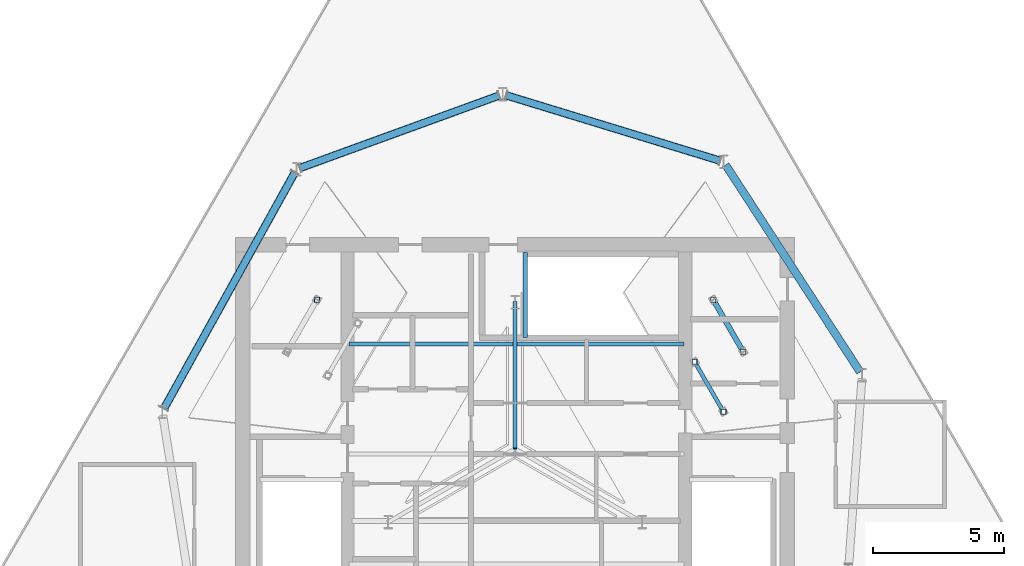
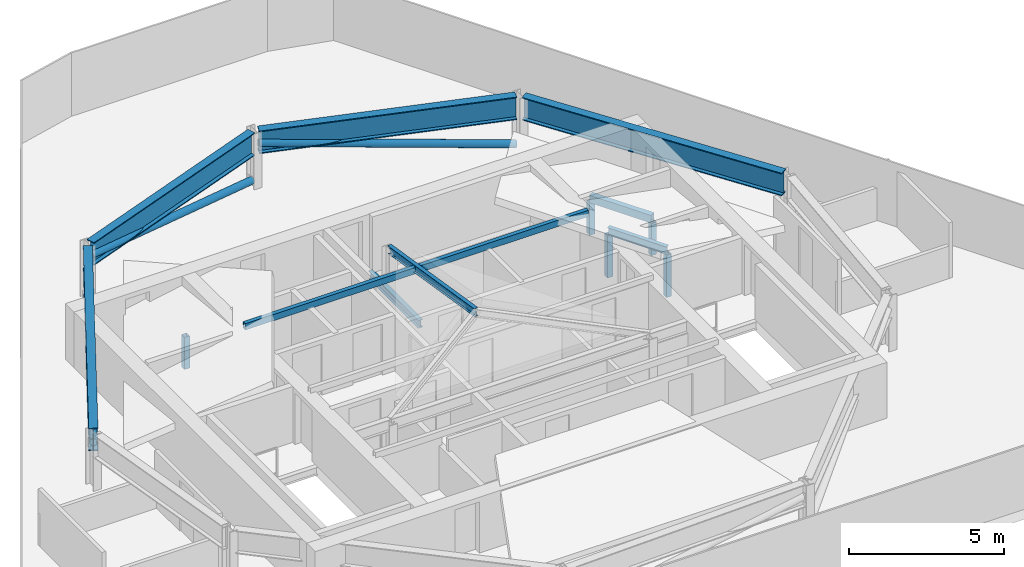
# One storey, part 3 of 9: 12 members, 5 beams.
"""IFC4 building model written with IfcOpenShell, lengths in metres."""

from ifc_helpers import new_model, si_unit, direction, frame, origin, origin_2d, place, context, subcontext, project, spatial, hollow_rectangle, hollow_circle, i_section, extrude, material, material_profile, profile_set, type_object, element, save


model = new_model("IFC4")

# Units and contexts
model_context = context("Model", 3, precision=1e-05, world=origin(), true_north=direction((0.0, 1.0)))
body_context = subcontext(model_context, "Body", "Model", "MODEL_VIEW")
ifc_project = project(units=[si_unit("LENGTHUNIT", "METRE"), si_unit("AREAUNIT", "SQUARE_METRE"), si_unit("VOLUMEUNIT", "CUBIC_METRE"), si_unit("PLANEANGLEUNIT", "RADIAN"), si_unit("MASSUNIT", "GRAM", prefix="KILO")], contexts=[model_context])

# Site, building, storey
site_placement = place(None, origin())
site = spatial("IfcSite", under=ifc_project, at=site_placement, CompositionType="ELEMENT")
building_placement = place(site_placement, origin())
building = spatial("IfcBuilding", under=site, at=building_placement, Name="Qarnah Convention Tower", CompositionType="ELEMENT")
storey_placement = place(building_placement, frame((0.0, 0.0, 292.89990234375)))
storey = spatial("IfcBuildingStorey", under=building, at=storey_placement, Name="L79", CompositionType="ELEMENT", Elevation=292.89990234375)

# Beams
ifc_material = material(Name="Structural steel S355JR", Category="steel")
ifc_material_profile_1 = material_profile(ifc_material, i_section(OverallWidth=0.166015625, OverallDepth=0.31201171875, WebThickness=0.007080078125, FlangeThickness=0.010986328125, at=origin_2d()), Name="W310X45")
ifc_profile_set_1 = profile_set([ifc_material_profile_1], Name="Structural steel S355JR")
beam_type_1 = type_object("IfcBeamType", Name="BM-JST-W310", PredefinedType="JOIST", material=ifc_profile_set_1)
beam_1_placement = place(storey_placement, frame((37.5830078125, 30.659912109375, -0.156005859375), z_axis=(0.0, 1.0, 0.0), x_axis=(-1.0, 0.0, 0.0)))
element("IfcBeam", 1, at=beam_1_placement, inside=storey, type_object=beam_type_1, Name="L79 stair landing trimmer beam BM-L79-ST3-TRM", PredefinedType="BEAM", context=body_context, shape_type="SweptSolid", body=[
    extrude(i_section(OverallWidth=0.166015625, OverallDepth=0.31201171875, WebThickness=0.007080078125, FlangeThickness=0.010986328125, at=origin_2d()), origin(), (0.0, 0.0, 1.0), 3.239990234375),
])
ifc_material_profile_2 = material_profile(ifc_material, i_section(OverallWidth=0.300048828125, OverallDepth=0.89990234375, WebThickness=0.01904296875, FlangeThickness=0.034912109375, at=origin_2d()), Name="HEB900")
ifc_profile_set_2 = profile_set([ifc_material_profile_2], Name="Structural steel S355JR")
beam_type_2 = type_object("IfcBeamType", Name="BM-RING-HEB900", PredefinedType="BEAM", material=ifc_profile_set_2)
beam_2_placement = place(storey_placement, frame((50.3779296875, 29.333984375, 1.75), z_axis=(-0.544668094576, 0.83865169573, 0.0), x_axis=(-0.83865169573, -0.544668094576, 0.0)))
element("IfcBeam", 2, at=beam_2_placement, inside=storey, type_object=beam_type_2, Name="L79 CROWN FRAME top ring cap beam 01", PredefinedType="BEAM", context=body_context, shape_type="SweptSolid", body=[
    extrude(i_section(OverallWidth=0.300048828125, OverallDepth=0.89990234375, WebThickness=0.01904296875, FlangeThickness=0.034912109375, at=origin_2d()), origin(), (0.0, 0.0, 1.0), 9.43310546875),
])
beam_3_placement = place(storey_placement, frame((45.030029296875, 37.403076171875, 1.75), z_axis=(-0.956294755563, 0.292404412557, 0.0), x_axis=(-0.292404412557, -0.956294755563, 0.0)))
element("IfcBeam", 3, at=beam_3_placement, inside=storey, type_object=beam_type_2, Name="L79 CROWN FRAME top ring cap beam 02", PredefinedType="BEAM", context=body_context, shape_type="SweptSolid", body=[
    extrude(i_section(OverallWidth=0.300048828125, OverallDepth=0.89990234375, WebThickness=0.01904296875, FlangeThickness=0.034912109375, at=origin_2d()), origin(), (0.0, 0.0, 1.0), 8.542236328125),
])
beam_4_placement = place(storey_placement, frame((36.594970703125, 39.89404296875, 1.75), z_axis=(-0.939689448399, -0.34202885926, 0.0), x_axis=(0.34202885926, -0.939689448399, 0.0)))
element("IfcBeam", 4, at=beam_4_placement, inside=storey, type_object=beam_type_2, Name="L79 CROWN FRAME top ring cap beam 03", PredefinedType="BEAM", context=body_context, shape_type="SweptSolid", body=[
    extrude(i_section(OverallWidth=0.300048828125, OverallDepth=0.89990234375, WebThickness=0.01904296875, FlangeThickness=0.034912109375, at=origin_2d()), origin(), (0.0, 0.0, 1.0), 8.093017578125),
])
beam_5_placement = place(storey_placement, frame((28.7900390625, 36.9560546875, 1.75), z_axis=(-0.484754052056, -0.874650506783, 0.0), x_axis=(0.874650506783, -0.484754052056, 0.0)))
element("IfcBeam", 5, at=beam_5_placement, inside=storey, type_object=beam_type_2, Name="L79 CROWN FRAME top ring cap beam 04", PredefinedType="BEAM", context=body_context, shape_type="SweptSolid", body=[
    extrude(i_section(OverallWidth=0.300048828125, OverallDepth=0.89990234375, WebThickness=0.01904296875, FlangeThickness=0.034912109375, at=origin_2d()), origin(), (0.0, 0.0, 1.0), 10.310546875),
])

# Members
ifc_material_profile_3 = material_profile(ifc_material, hollow_circle(Radius=0.136474609375, WallThickness=0.010009765625, at=origin_2d()), Name="CHS273X10")
ifc_profile_set_3 = profile_set([ifc_material_profile_3], Name="Structural steel S355JR")
member_type_1 = type_object("IfcMemberType", Name="MBR-BRC-CHS273", PredefinedType="BRACE", material=ifc_profile_set_3)
member_1_placement = place(storey_placement, frame((45.030029296875, 37.403076171875, 0.25), z_axis=(-0.943702152431, 0.288553996459, 0.161749307956), x_axis=(-0.292404412557, -0.956294755563, 0.0)))
element("IfcMember", 6, at=member_1_placement, inside=storey, type_object=member_type_1, Name="L79 CROWN FRAME ring brace 02", PredefinedType="BRACE", context=body_context, shape_type="SweptSolid", body=[
    extrude(hollow_circle(Radius=0.136474609375, WallThickness=0.010009765625, at=origin_2d()), origin(), (0.0, 0.0, 1.0), 8.65625),
])
member_2_placement = place(storey_placement, frame((36.594970703125, 39.89404296875, 0.25), z_axis=(-0.925934595987, -0.337022357923, 0.170473030754), x_axis=(0.34202885926, -0.939689448399, 0.0)))
element("IfcMember", 7, at=member_2_placement, inside=storey, type_object=member_type_1, Name="L79 CROWN FRAME ring brace 03", PredefinedType="BRACE", context=body_context, shape_type="SweptSolid", body=[
    extrude(hollow_circle(Radius=0.136474609375, WallThickness=0.010009765625, at=origin_2d()), origin(), (0.0, 0.0, 1.0), 8.21337890625),
])
member_3_placement = place(storey_placement, frame((28.7900390625, 36.9560546875, 0.25), z_axis=(-0.480345214016, -0.866695560537, 0.134563296326), x_axis=(0.874650506783, -0.484754052056, 0.0)))
element("IfcMember", 8, at=member_3_placement, inside=storey, type_object=member_type_1, Name="L79 CROWN FRAME ring brace 04", PredefinedType="BRACE", context=body_context, shape_type="SweptSolid", body=[
    extrude(hollow_circle(Radius=0.136474609375, WallThickness=0.010009765625, at=origin_2d()), origin(), (0.0, 0.0, 1.0), 10.405029296875),
])
ifc_material_profile_4 = material_profile(ifc_material, hollow_rectangle(XDim=0.14990234375, YDim=0.25, WallThickness=0.010009765625, at=origin_2d()), Name="HSS250X150X10")
ifc_profile_set_4 = profile_set([ifc_material_profile_4], Name="Structural steel S355JR")
member_type_2 = type_object("IfcMemberType", Name="MBR-CLR-HSS250X150", PredefinedType="COLLAR", material=ifc_profile_set_4)
member_4_placement = place(storey_placement, frame((30.85009765625, 30.39990234375, 2.280029296875), z_axis=(1.0, 0.0, 0.0), x_axis=(0.0, 1.0, 0.0)))
element("IfcMember", 9, at=member_4_placement, inside=storey, type_object=member_type_2, Name="L79 crown roof collar tie 3", PredefinedType="COLLAR", context=body_context, shape_type="SweptSolid", body=[
    extrude(hollow_rectangle(XDim=0.14990234375, YDim=0.25, WallThickness=0.010009765625, at=origin_2d()), origin(), (0.0, 0.0, 1.0), 12.7998046875),
])
ifc_material_profile_5 = material_profile(ifc_material, hollow_rectangle(XDim=0.199951171875, YDim=0.300048828125, WallThickness=0.011962890625, at=origin_2d()), Name="HSS300X200X12")
ifc_profile_set_5 = profile_set([ifc_material_profile_5], Name="Structural steel S355JR")
member_type_3 = type_object("IfcMemberType", Name="MBR-PRL-HSS300X200", PredefinedType="PURLIN", material=ifc_profile_set_5)
member_5_placement = place(storey_placement, frame((45.916015625, 30.10400390625, 1.446044921875), z_axis=(-0.499952165731, 0.866053019151, 0.0), x_axis=(-0.866053019151, -0.499952165731, 0.0)))
element("IfcMember", 10, at=member_5_placement, inside=storey, type_object=member_type_3, Name="L79 sloped roof purlin 3.2", PredefinedType="PURLIN", context=body_context, shape_type="SweptSolid", body=[
    extrude(hollow_rectangle(XDim=0.199951171875, YDim=0.300048828125, WallThickness=0.011962890625, at=origin_2d()), origin(), (0.0, 0.0, 1.0), 2.300048828125),
])
ifc_material_profile_6 = material_profile(ifc_material, i_section(OverallWidth=0.14990234375, OverallDepth=0.300048828125, WebThickness=0.007080078125, FlangeThickness=0.010986328125, at=origin_2d()), Name="IPE300")
ifc_profile_set_6 = profile_set([ifc_material_profile_6], Name="Structural steel S355JR")
member_type_4 = type_object("IfcMemberType", Name="MBR-PRL-IPE300", PredefinedType="PURLIN", material=ifc_profile_set_6)
member_6_placement = place(storey_placement, frame((37.199951171875, 32.0, 2.1201171875), z_axis=(0.0, -0.987333502013, 0.158658614021), x_axis=(1.0, 0.0, 0.0)))
element("IfcMember", 11, at=member_6_placement, inside=storey, type_object=member_type_4, Name="L79 crown apex hip rafter 1", PredefinedType="RAFTER", context=body_context, shape_type="SweptSolid", body=[
    extrude(i_section(OverallWidth=0.14990234375, OverallDepth=0.300048828125, WebThickness=0.007080078125, FlangeThickness=0.010986328125, at=origin_2d()), origin(), (0.0, 0.0, 1.0), 5.671875),
])
member_7_placement = place(storey_placement, frame((45.156982421875, 27.818115234375, 1.840087890625), z_axis=(-0.499885711558, 0.866091378193, 0.0), x_axis=(-0.866091378193, -0.499885711558, 0.0)))
element("IfcMember", 12, at=member_7_placement, inside=storey, type_object=member_type_4, Name="L79 sloped roof purlin 3.1", PredefinedType="PURLIN", context=body_context, shape_type="SweptSolid", body=[
    extrude(i_section(OverallWidth=0.14990234375, OverallDepth=0.300048828125, WebThickness=0.007080078125, FlangeThickness=0.010986328125, at=origin_2d()), origin(), (0.0, 0.0, 1.0), 2.20068359375),
])
ifc_material_profile_7 = material_profile(ifc_material, hollow_rectangle(XDim=0.199951171875, YDim=0.199951171875, WallThickness=0.010009765625, at=origin_2d()), Name="HSS200X200X10")
ifc_profile_set_7 = profile_set([ifc_material_profile_7], Name="Structural steel S355JR")
member_type_5 = type_object("IfcMemberType", Name="MBR-STR-HSS200", PredefinedType="STRUT", material=ifc_profile_set_7)
member_8_placement = place(storey_placement, frame((29.634033203125, 32.095947265625, 0.0400390625), z_axis=(0.0, 0.0, 1.0), x_axis=(1.0, 0.0, 0.0)))
element("IfcMember", 13, at=member_8_placement, inside=storey, type_object=member_type_5, Name="L79 sloped roof purlin post 1.2A", PredefinedType="STRUT", context=body_context, shape_type="SweptSolid", body=[
    extrude(hollow_rectangle(XDim=0.199951171875, YDim=0.199951171875, WallThickness=0.010009765625, at=origin_2d()), origin(), (0.0, 0.0, 1.0), 1.26611328125),
])
for number, where, z_axis, x_axis, name in (
    (14, (45.156982421875, 27.818115234375, 0.0400390625), (0.0, 0.0, 1.0), (1.0, 0.0, 0.0), "L79 sloped roof purlin post 3.1A"),
    (15, (44.056884765625, 29.72412109375, 0.0400390625), (0.0, 0.0, 1.0), (1.0, 0.0, 0.0), "L79 sloped roof purlin post 3.1B"),
):
    element("IfcMember", number, at=place(storey_placement, frame(where, z_axis=z_axis, x_axis=x_axis)), inside=storey, type_object=member_type_5, Name=name, PredefinedType="STRUT", context=body_context, shape_type="SweptSolid", body=[
        extrude(hollow_rectangle(XDim=0.199951171875, YDim=0.199951171875, WallThickness=0.010009765625, at=origin_2d()), origin(), (0.0, 0.0, 1.0), 1.66015625),
    ])
for number, where, z_axis, x_axis, name in (
    (16, (45.916015625, 30.10400390625, 0.0400390625), (0.0, 0.0, 1.0), (1.0, 0.0, 0.0), "L79 sloped roof purlin post 3.2A"),
    (17, (44.76611328125, 32.095947265625, 0.0400390625), (0.0, 0.0, 1.0), (1.0, 0.0, 0.0), "L79 sloped roof purlin post 3.2B"),
):
    element("IfcMember", number, at=place(storey_placement, frame(where, z_axis=z_axis, x_axis=x_axis)), inside=storey, type_object=member_type_5, Name=name, PredefinedType="STRUT", context=body_context, shape_type="SweptSolid", body=[
        extrude(hollow_rectangle(XDim=0.199951171875, YDim=0.199951171875, WallThickness=0.010009765625, at=origin_2d()), origin(), (0.0, 0.0, 1.0), 1.26611328125),
    ])

save(model, "model.ifc")
